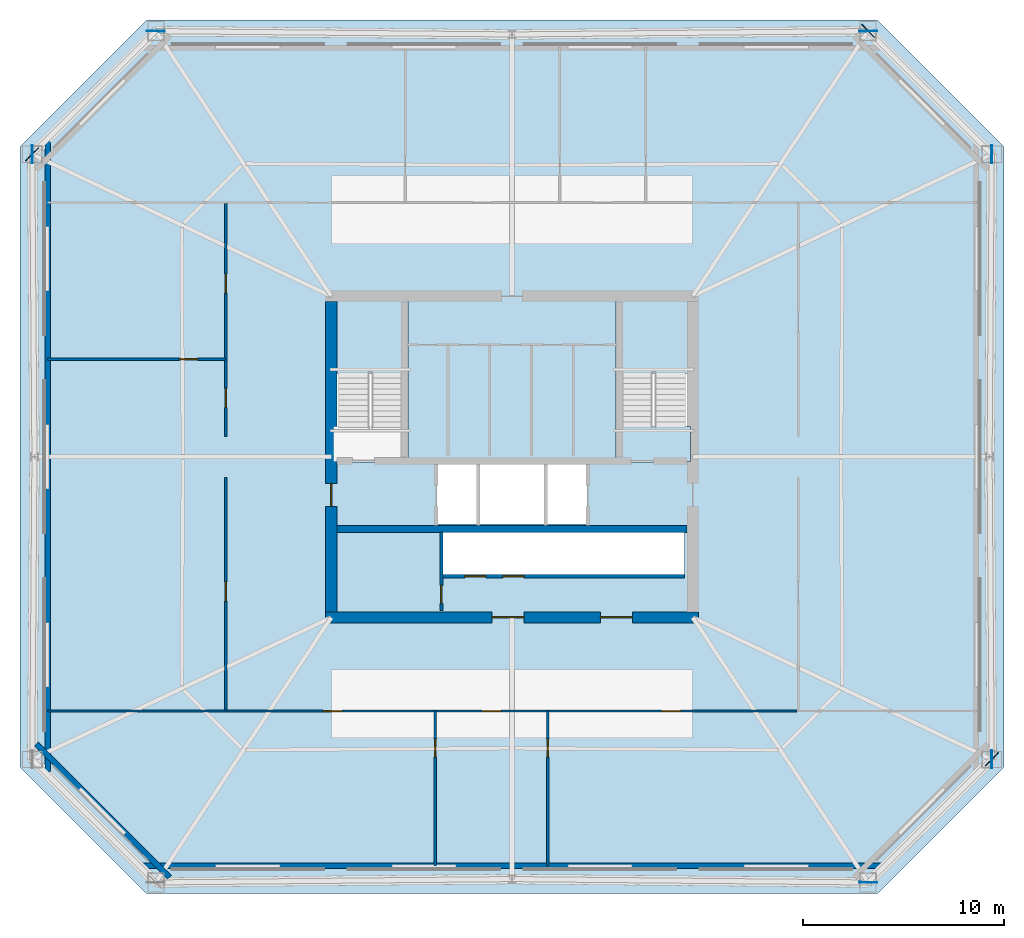
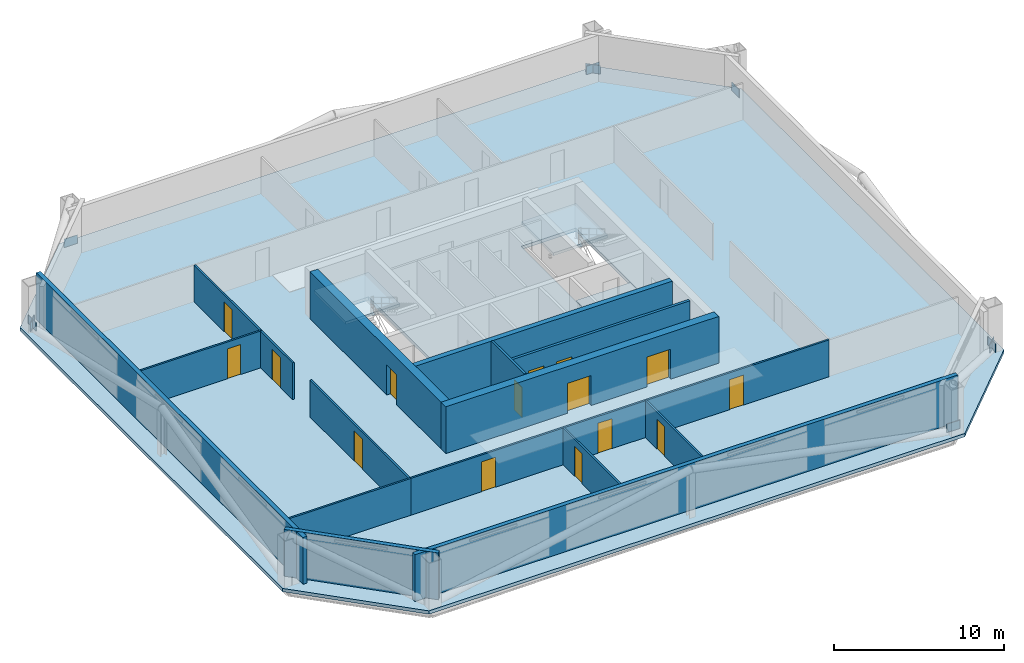
# One storey, part 2 of 6: 15 doors, 15 walls, 9 plates, 4 slabs, 15 openings, 2 elements without a shape of their own.
"""IFC4 building model written with IfcOpenShell, lengths in metres."""

from ifc_helpers import new_model, si_unit, direction, frame, frame_2d, origin, origin_2d, place, context, subcontext, project, spatial, polyline, rectangle, outline, extrude, material, layer, layer_set, type_object, element, fill, aggregate, save


model = new_model("IFC4")

# Units and contexts
model_context = context("Model", 3, precision=1e-05, world=origin(), true_north=direction((0.0, 1.0)))
body_context = subcontext(model_context, "Body", "Model", "MODEL_VIEW")
ifc_project = project(units=[si_unit("LENGTHUNIT", "METRE"), si_unit("AREAUNIT", "SQUARE_METRE"), si_unit("VOLUMEUNIT", "CUBIC_METRE"), si_unit("PLANEANGLEUNIT", "RADIAN"), si_unit("MASSUNIT", "GRAM", prefix="KILO")], contexts=[model_context])

# Site, building, storey
site_placement = place(None, origin())
site = spatial("IfcSite", under=ifc_project, at=site_placement, CompositionType="ELEMENT")
building_placement = place(site_placement, origin())
building = spatial("IfcBuilding", under=site, at=building_placement, Name="Caelvoria Tower", CompositionType="ELEMENT")
storey_placement = place(building_placement, frame((0.0, 0.0, 149.199951171875)))
storey = spatial("IfcBuildingStorey", under=building, at=storey_placement, Name="L39", CompositionType="ELEMENT", Elevation=149.199951171875)

# Plates
ifc_material_1 = material(Name="Structural Steel ASTM A572 Gr.50", Category="steel")
ifc_layer_1 = layer(ifc_material_1, 0.0400390625, Name="Structural Steel ASTM A572 Gr.50")
ifc_layer_set_1 = layer_set([ifc_layer_1], Name="Megaframe Node Gusset Plate 900x600x40 - Structural Steel ASTM A572 Gr.50")
plate_type = type_object("IfcPlateType", Name="Megaframe Node Gusset Plate 900x600x40", PredefinedType="USERDEFINED", material=ifc_layer_set_1)
for number, where, z_axis, x_axis, name in (
    (1, (69.89111328125, 16.93408203125, 0.02001953125), (0.0, 0.0, 1.0), (-0.708326285833, -0.705885169697, 0.0), "Chamfer Mega Brace Gusset L39 SE"),
    (2, (63.73779296875, 53.19775390625, 0.02001953125), (0.0, 0.0, 1.0), (0.708326285833, -0.705885169697, 0.0), "Chamfer Mega Brace Gusset L39 NE"),
    (3, (22.10888671875, 47.06591796875, 0.02001953125), (0.0, 0.0, 1.0), (0.708326285833, 0.705885169697, 0.0), "Chamfer Mega Brace Gusset L39 NW"),
    (4, (63.73779296875, 10.80224609375, 0.050048828125), (0.0, 0.0, 1.0), (-0.999955257518, 0.009459543462, 0.0), "Megaframe Node Gusset Plate ND-04"),
    (5, (69.89111328125, 16.93408203125, 0.050048828125), (0.0, 0.0, 1.0), (-0.007366968134, 0.999972863522, 0.0), "Megaframe Node Gusset Plate ND-04"),
    (6, (69.89111328125, 47.06591796875, 0.050048828125), (0.0, 0.0, 1.0), (-0.007366968134, -0.999972863522, 0.0), "Megaframe Node Gusset Plate ND-04"),
    (7, (63.73779296875, 53.19775390625, 0.050048828125), (0.0, 0.0, 1.0), (-0.999955257518, -0.009459543462, 0.0), "Megaframe Node Gusset Plate ND-04"),
    (8, (28.26220703125, 53.19775390625, 0.050048828125), (0.0, 0.0, 1.0), (0.999955257518, -0.009459543462, 0.0), "Megaframe Node Gusset Plate ND-04"),
    (9, (22.10888671875, 47.06591796875, 0.050048828125), (0.0, 0.0, 1.0), (0.007366968134, -0.999972863522, 0.0), "Megaframe Node Gusset Plate ND-04"),
):
    element("IfcPlate", number, at=place(storey_placement, frame(where, z_axis=z_axis, x_axis=x_axis)), inside=storey, type_object=plate_type, Name=name, ObjectType="GUSSET_PLATE", PredefinedType="USERDEFINED", context=body_context, shape_type="SweptSolid", body=[
        extrude(rectangle(XDim=0.89990234375, YDim=0.0400390625, at=origin_2d()), origin(), (0.0, 0.0, 1.0), 0.60009765625),
    ])

# Stair, slab
ifc_material_2 = material(Name="Concrete C40/50", Category="concrete")
stair_type = type_object("IfcStairType", Name="Core Smokeproof Dogleg Stair Concrete C40/50", PredefinedType="HALF_TURN_STAIR", material=ifc_material_2)
stair_1_placement = place(storey_placement, origin())
stair_1 = element("IfcStair", 10, at=stair_1_placement, inside=storey, type_object=stair_type, Name="ST-01 Smokeproof Exit Stair L39", PredefinedType="HALF_TURN_STAIR")
ifc_layer_2 = layer(ifc_material_2, 0.199951171875, Name="Concrete C40/50")
ifc_layer_set_2 = layer_set([ifc_layer_2], Name="Stair Half and Floor Landing Slab 200 Concrete C40/50 - Concrete C40/50")
slab_type_1 = type_object("IfcSlabType", Name="Stair Half and Floor Landing Slab 200 Concrete C40/50", PredefinedType="LANDING", material=ifc_layer_set_2)
slab_1_placement = place(storey_placement, frame((0.0, 0.0, 1.60009765625)))
slab_1 = element("IfcSlab", 11, at=slab_1_placement, type_object=slab_type_1, Name="ST-01 landing 2", PredefinedType="LANDING", context=body_context, shape_type="SweptSolid", body=[
    extrude(outline(polyline([(37.10009765625, 36.14990234375), (40.800048828125, 36.14990234375), (40.800048828125, 39.89990234375), (37.10009765625, 39.89990234375), (37.10009765625, 36.14990234375)])), origin(), (0.0, 0.0, 1.0), 0.199951171875),
])
aggregate(stair_1, [slab_1])

# Stair, slabs
stair_2_placement = place(storey_placement, origin())
stair_2 = element("IfcStair", 12, at=stair_2_placement, inside=storey, type_object=stair_type, Name="ST-02 Smokeproof Exit Stair L39", PredefinedType="HALF_TURN_STAIR")
slab_2_placement = place(storey_placement, frame((0.0, 0.0, -0.199951171875)))
slab_2 = element("IfcSlab", 13, at=slab_2_placement, type_object=slab_type_1, Name="ST-02 landing 1", PredefinedType="LANDING", context=body_context, shape_type="SweptSolid", body=[
    extrude(outline(polyline([(51.199951171875, 31.77001953125), (54.89990234375, 31.77001953125), (54.89990234375, 33.5), (51.199951171875, 33.5), (51.199951171875, 31.77001953125)])), origin(), (0.0, 0.0, 1.0), 0.199951171875),
])
slab_3_placement = place(storey_placement, frame((0.0, 0.0, 1.60009765625)))
slab_3 = element("IfcSlab", 14, at=slab_3_placement, type_object=slab_type_1, Name="ST-02 landing 2", PredefinedType="LANDING", context=body_context, shape_type="SweptSolid", body=[
    extrude(outline(polyline([(51.199951171875, 36.14990234375), (54.89990234375, 36.14990234375), (54.89990234375, 39.89990234375), (51.199951171875, 39.89990234375), (51.199951171875, 36.14990234375)])), origin(), (0.0, 0.0, 1.0), 0.199951171875),
])
aggregate(stair_2, [slab_2, slab_3])

# Slab
ifc_layer_3 = layer(ifc_material_2, 0.239990234375, Name="Concrete C40/50")
ifc_layer_set_3 = layer_set([ifc_layer_3], Name="Tower Composite Office Slab 240 - Concrete C40/50")
slab_type_2 = type_object("IfcSlabType", Name="Tower Composite Office Slab 240", PredefinedType="FLOOR", material=ifc_layer_set_3)
slab_4_placement = place(storey_placement, frame((0.0, 0.0, -0.239990234375)))
element("IfcSlab", 15, at=slab_4_placement, inside=storey, type_object=slab_type_2, Name="Level L39 Structural Floor Slab", PredefinedType="FLOOR", context=body_context, shape_type="SweptSolid", body=[
    extrude(outline(polyline([(27.800048828125, 10.25), (64.199951171875, 10.25), (70.5, 16.550048828125), (70.5, 47.449951171875), (64.199951171875, 53.75), (27.800048828125, 53.75), (21.5, 47.449951171875), (21.5, 16.550048828125), (27.800048828125, 10.25)]), holes=[polyline([(37.080078125, 31.75), (40.820068359375, 31.75), (40.820068359375, 39.919921875), (37.080078125, 39.919921875), (37.080078125, 31.75)]), polyline([(51.179931640625, 31.75), (54.919921875, 31.75), (54.919921875, 39.919921875), (51.179931640625, 39.919921875), (51.179931640625, 31.75)]), polyline([(42.25, 28.64990234375), (49.75, 28.64990234375), (49.75, 31.800048828125), (42.25, 31.800048828125), (42.25, 28.64990234375)]), polyline([(42.550048828125, 26.14990234375), (54.60009765625, 26.14990234375), (54.60009765625, 28.25), (42.550048828125, 28.25), (42.550048828125, 26.14990234375)])]), origin(), (0.0, 0.0, 1.0), 0.239990234375),
])

# Wall
ifc_material_3 = material(Name="Concrete C50/60", Category="concrete")
ifc_layer_4 = layer(ifc_material_3, 0.35009765625, Name="Concrete C50/60")
ifc_layer_set_4 = layer_set([ifc_layer_4], Name="Core Internal Shear Wall 350 - Concrete C50/60")
wall_type_1 = type_object("IfcWallType", Name="Core Internal Shear Wall 350", PredefinedType="SHEAR", material=ifc_layer_set_4)
wall_1_placement = place(storey_placement, frame((37.27490234375, 28.39990234375, 0.0), z_axis=(0.0, 0.0, 1.0), x_axis=(1.0, 0.0, 0.0)))
element("IfcWall", 16, at=wall_1_placement, inside=storey, type_object=wall_type_1, Name="Core Shear Wall L39 M2", PredefinedType="SHEAR", context=body_context, shape_type="SweptSolid", body=[
    extrude(rectangle(XDim=17.4501953125, YDim=0.35009765625, at=frame_2d((8.72509765625, 0.0))), origin(), (0.0, 0.0, 1.0), 3.360107421875),
])

# Wall, opening, door
ifc_material_4 = material(Name="Double Gypsum Board on Steel Stud", Category="steel")
ifc_layer_5 = layer(ifc_material_4, 0.14990234375, Name="Double Gypsum Board on Steel Stud")
ifc_layer_set_5 = layer_set([ifc_layer_5], Name="Core Service Acoustic Partition Wall 150 - Double Gypsum Board on Steel Stud")
wall_type_2 = type_object("IfcWallType", Name="Core Service Acoustic Partition Wall 150", PredefinedType="PARTITIONING", material=ifc_layer_set_5)
wall_2_placement = place(storey_placement, frame((42.47998046875, 24.35009765625, 0.0), z_axis=(0.0, 0.0, 1.0), x_axis=(0.0, 1.0, 0.0)))
wall_2 = element("IfcWall", 17, at=wall_2_placement, inside=storey, type_object=wall_type_2, Name="Interior Partition IW-L39-RECL1E", PredefinedType="PARTITIONING", context=body_context, shape_type="SweptSolid", body=[
    extrude(rectangle(XDim=3.89990234375, YDim=0.14990234375, at=frame_2d((1.949951171875, 0.0))), origin(), (0.0, 0.0, 1.0), 3.360107421875),
])
opening_1_placement = place(wall_2_placement, frame((0.35009765625, 0.0, 0.0)))
opening_1 = element("IfcOpeningElement", 18, at=opening_1_placement, cuts=wall_2, Name="Opening ID-04", PredefinedType="OPENING", context=body_context, shape_type="SweptSolid", body=[
    extrude(rectangle(XDim=0.89990234375, YDim=2.14990234375, at=frame_2d((0.449951171875, 1.074951171875))), frame((0.0, 0.0849609375, 0.0), z_axis=(0.0, -1.0, 0.0), x_axis=(1.0, 0.0, 0.0)), (0.0, 0.0, 1.0), 0.169921875),
])
ifc_material_5 = material(Name="Acoustic Timber Fire Door", Category="wood")
door_type_1 = type_object("IfcDoorType", Name="Fire Door FD30S 900x2150", OperationType="NOTDEFINED", PredefinedType="DOOR", material=ifc_material_5)
door_1_placement = place(opening_1_placement, origin())
door_1 = element("IfcDoor", 19, at=door_1_placement, inside=storey, type_object=door_type_1, Name="Interior Door DR-L39-RECL1", OperationType="SINGLE_SWING_LEFT", OverallHeight=2.14990234375, OverallWidth=0.89990234375, PredefinedType="DOOR", context=body_context, shape_type="SweptSolid", body=[
    extrude(rectangle(XDim=0.89990234375, YDim=2.14990234375, at=frame_2d((0.449951171875, 1.074951171875))), frame((0.0, 0.02490234375, 0.0), z_axis=(0.0, -1.0, 0.0), x_axis=(1.0, 0.0, 0.0)), (0.0, 0.0, 1.0), 0.050048828125),
])
fill(opening_1, door_1)

# Walls
ifc_material_6 = material(Name="Precast Concrete C40/50 with Bronze Cladding", Category="concrete")
ifc_layer_6 = layer(ifc_material_6, 0.280029296875, Name="Precast Concrete C40/50 with Bronze Cladding")
ifc_layer_set_6 = layer_set([ifc_layer_6], Name="Exterior Precast Concrete C40/50 Bronze-Clad Facade Wall 280 - Precast Concrete C40/50 with Bronze Cladding")
wall_type_3 = type_object("IfcWallType", Name="Exterior Precast Concrete C40/50 Bronze-Clad Facade Wall 280", PredefinedType="STANDARD", material=ifc_layer_set_6)
wall_3_placement = place(storey_placement, frame((27.56005859375, 11.6298828125, 0.0), z_axis=(0.0, 0.0, 1.0), x_axis=(1.0, 0.0, 0.0)))
element("IfcWall", 20, at=wall_3_placement, inside=storey, type_object=wall_type_3, Name="Exterior Facade Wall L39-E0", PredefinedType="STANDARD", context=body_context, shape_type="SweptSolid", body=[
    extrude(rectangle(XDim=36.8798828125, YDim=0.280029296875, at=frame_2d((18.43994140625, 0.0))), origin(), (0.0, 0.0, 1.0), 3.360107421875),
])
wall_4_placement = place(storey_placement, frame((22.8798828125, 47.68994140625, 0.0), z_axis=(0.0, 0.0, 1.0), x_axis=(0.0, -1.0, 0.0)))
element("IfcWall", 21, at=wall_4_placement, inside=storey, type_object=wall_type_3, Name="Exterior Facade Wall L39-E6", PredefinedType="STANDARD", context=body_context, shape_type="SweptSolid", body=[
    extrude(rectangle(XDim=31.3798828125, YDim=0.280029296875, at=frame_2d((15.68994140625, 0.0))), origin(), (0.0, 0.0, 1.0), 3.360107421875),
])
wall_5_placement = place(storey_placement, frame((22.30615234375, 17.695556640625, 0.0), z_axis=(0.0, 0.0, 1.0), x_axis=(0.707106781187, -0.707106781187, 0.0)))
element("IfcWall", 22, at=wall_5_placement, inside=storey, type_object=wall_type_3, Name="Exterior Facade Wall L39-E7", PredefinedType="STANDARD", context=body_context, shape_type="SweptSolid", body=[
    extrude(rectangle(XDim=9.3896484375, YDim=0.280029296875, at=frame_2d((4.69482421875, 0.0))), origin(), (0.0, 0.0, 1.0), 3.360107421875),
])

# Wall, openings, doors
ifc_material_7 = material(Name="Concrete Block and Fireboard Assembly", Category="concrete")
ifc_layer_7 = layer(ifc_material_7, 0.179931640625, Name="Concrete Block and Fireboard Assembly")
ifc_layer_set_7 = layer_set([ifc_layer_7], Name="Fire-Rated Hoistway Partition Wall 180 - Concrete Block and Fireboard Assembly")
wall_type_4 = type_object("IfcWallType", Name="Fire-Rated Hoistway Partition Wall 180", PredefinedType="PARTITIONING", material=ifc_layer_set_7)
wall_6_placement = place(storey_placement, frame((42.550048828125, 26.050048828125, 0.0), z_axis=(0.0, 0.0, 1.0), x_axis=(1.0, 0.0, 0.0)))
wall_6 = element("IfcWall", 23, at=wall_6_placement, inside=storey, type_object=wall_type_4, Name="Interior Partition IW-L39-LFRONT", PredefinedType="PARTITIONING", context=body_context, shape_type="SweptSolid", body=[
    extrude(rectangle(XDim=12.050048828125, YDim=0.179931640625, at=frame_2d((6.02490234375, 0.0))), origin(), (0.0, 0.0, 1.0), 3.360107421875),
])
opening_2_placement = place(wall_6_placement, frame((1.10009765625, 0.0, 0.0)))
opening_2 = element("IfcOpeningElement", 24, at=opening_2_placement, cuts=wall_6, Name="Opening LD-01", PredefinedType="OPENING", context=body_context, shape_type="SweptSolid", body=[
    extrude(rectangle(XDim=1.050048828125, YDim=2.14990234375, at=frame_2d((0.52490234375, 1.074951171875))), frame((0.0, 0.099853515625, 0.0), z_axis=(0.0, -1.0, 0.0), x_axis=(1.0, 0.0, 0.0)), (0.0, 0.0, 1.0), 0.199951171875),
])
opening_3_placement = place(wall_6_placement, frame((3.0, 0.0, 0.0)))
opening_3 = element("IfcOpeningElement", 25, at=opening_3_placement, cuts=wall_6, Name="Opening LD-01", PredefinedType="OPENING", context=body_context, shape_type="SweptSolid", body=[
    extrude(rectangle(XDim=1.050048828125, YDim=2.14990234375, at=frame_2d((0.52490234375, 1.074951171875))), frame((0.0, 0.099853515625, 0.0), z_axis=(0.0, -1.0, 0.0), x_axis=(1.0, 0.0, 0.0)), (0.0, 0.0, 1.0), 0.199951171875),
])
ifc_material_8 = material(Name="Brushed Bronze Stainless Sliding Landing Door", Category="aluminium")
door_type_2 = type_object("IfcDoorType", Name="Lift Landing Sliding Door 1100x2150", OperationType="NOTDEFINED", PredefinedType="DOOR", material=ifc_material_8)
door_2_placement = place(opening_2_placement, origin())
door_2 = element("IfcDoor", 26, at=door_2_placement, inside=storey, type_object=door_type_2, Name="Interior Door LD-L39-PM1", OperationType="SLIDING_TO_LEFT", OverallHeight=2.14990234375, OverallWidth=1.050048828125, PredefinedType="DOOR", context=body_context, shape_type="SweptSolid", body=[
    extrude(rectangle(XDim=1.050048828125, YDim=2.14990234375, at=frame_2d((0.52490234375, 1.074951171875))), frame((0.0, 0.02490234375, 0.0), z_axis=(0.0, -1.0, 0.0), x_axis=(1.0, 0.0, 0.0)), (0.0, 0.0, 1.0), 0.050048828125),
])
fill(opening_2, door_2)
door_3_placement = place(opening_3_placement, origin())
door_3 = element("IfcDoor", 27, at=door_3_placement, inside=storey, type_object=door_type_2, Name="Interior Door LD-L39-PM2", OperationType="SLIDING_TO_RIGHT", OverallHeight=2.14990234375, OverallWidth=1.050048828125, PredefinedType="DOOR", context=body_context, shape_type="SweptSolid", body=[
    extrude(rectangle(XDim=1.050048828125, YDim=2.14990234375, at=frame_2d((0.52490234375, 1.074951171875))), frame((0.0, 0.02490234375, 0.0), z_axis=(0.0, -1.0, 0.0), x_axis=(1.0, 0.0, 0.0)), (0.0, 0.0, 1.0), 0.050048828125),
])
fill(opening_3, door_3)

ifc_material_9 = material(Name="Concrete C55/67", Category="concrete")
ifc_layer_8 = layer(ifc_material_9, 0.550048828125, Name="Concrete C55/67")
ifc_layer_set_8 = layer_set([ifc_layer_8], Name="Mid Core Shear Wall 550 - Concrete C55/67")
wall_type_5 = type_object("IfcWallType", Name="Mid Core Shear Wall 550", PredefinedType="SHEAR", material=ifc_layer_set_8)
wall_7_placement = place(storey_placement, frame((36.72509765625, 24.0, 0.0), z_axis=(0.0, 0.0, 1.0), x_axis=(1.0, 0.0, 0.0)))
wall_7 = element("IfcWall", 28, at=wall_7_placement, inside=storey, type_object=wall_type_5, Name="Core Shear Wall L39 S", PredefinedType="SHEAR", context=body_context, shape_type="SweptSolid", body=[
    extrude(rectangle(XDim=18.5498046875, YDim=0.550048828125, at=frame_2d((9.27490234375, 0.0))), origin(), (0.0, 0.0, 1.0), 3.360107421875),
])
opening_4_placement = place(wall_7_placement, frame((8.27490234375, 0.0, 0.0)))
opening_4 = element("IfcOpeningElement", 29, at=opening_4_placement, cuts=wall_7, Name="Opening ID-08", PredefinedType="OPENING", context=body_context, shape_type="SweptSolid", body=[
    extrude(rectangle(XDim=1.60009765625, YDim=2.14990234375, at=frame_2d((0.800048828125, 1.074951171875))), frame((0.0, 0.284912109375, 0.0), z_axis=(0.0, -1.0, 0.0), x_axis=(1.0, 0.0, 0.0)), (0.0, 0.0, 1.0), 0.570068359375),
])
opening_5_placement = place(wall_7_placement, frame((13.675048828125, 0.0, 0.0)))
opening_5 = element("IfcOpeningElement", 30, at=opening_5_placement, cuts=wall_7, Name="Opening ID-08", PredefinedType="OPENING", context=body_context, shape_type="SweptSolid", body=[
    extrude(rectangle(XDim=1.60009765625, YDim=2.14990234375, at=frame_2d((0.800048828125, 1.074951171875))), frame((0.0, 0.284912109375, 0.0), z_axis=(0.0, -1.0, 0.0), x_axis=(1.0, 0.0, 0.0)), (0.0, 0.0, 1.0), 0.570068359375),
])
ifc_material_10 = material(Name="Bronze-Framed Fire-Rated Glazed Double Door", Category="aluminium")
door_type_3 = type_object("IfcDoorType", Name="Double Lobby Glazed Door 1600x2200", OperationType="NOTDEFINED", PredefinedType="DOOR", material=ifc_material_10)
door_4_placement = place(opening_4_placement, origin())
door_4 = element("IfcDoor", 31, at=door_4_placement, inside=storey, type_object=door_type_3, Name="Core Door DR-L39-LLOB-S1", OperationType="DOUBLE_DOOR_SINGLE_SWING", OverallHeight=2.14990234375, OverallWidth=1.60009765625, PredefinedType="DOOR", context=body_context, shape_type="SweptSolid", body=[
    extrude(rectangle(XDim=1.60009765625, YDim=2.14990234375, at=frame_2d((0.800048828125, 1.074951171875))), frame((0.0, 0.02490234375, 0.0), z_axis=(0.0, -1.0, 0.0), x_axis=(1.0, 0.0, 0.0)), (0.0, 0.0, 1.0), 0.050048828125),
])
fill(opening_4, door_4)
door_5_placement = place(opening_5_placement, origin())
door_5 = element("IfcDoor", 32, at=door_5_placement, inside=storey, type_object=door_type_3, Name="Core Door DR-L39-LLOB-S2", OperationType="DOUBLE_DOOR_SINGLE_SWING", OverallHeight=2.14990234375, OverallWidth=1.60009765625, PredefinedType="DOOR", context=body_context, shape_type="SweptSolid", body=[
    extrude(rectangle(XDim=1.60009765625, YDim=2.14990234375, at=frame_2d((0.800048828125, 1.074951171875))), frame((0.0, 0.02490234375, 0.0), z_axis=(0.0, -1.0, 0.0), x_axis=(1.0, 0.0, 0.0)), (0.0, 0.0, 1.0), 0.050048828125),
])
fill(opening_5, door_5)

# Wall, opening, door
wall_8_placement = place(storey_placement, frame((37.0, 24.27490234375, 0.0), z_axis=(0.0, 0.0, 1.0), x_axis=(0.0, 1.0, 0.0)))
wall_8 = element("IfcWall", 33, at=wall_8_placement, inside=storey, type_object=wall_type_5, Name="Core Shear Wall L39 W", PredefinedType="SHEAR", context=body_context, shape_type="SweptSolid", body=[
    extrude(rectangle(XDim=15.4501953125, YDim=0.550048828125, at=frame_2d((7.72509765625, 0.0))), origin(), (0.0, 0.0, 1.0), 3.360107421875),
])
opening_6_placement = place(wall_8_placement, frame((5.25, 0.0, 0.0)))
opening_6 = element("IfcOpeningElement", 34, at=opening_6_placement, cuts=wall_8, Name="Opening ID-02", PredefinedType="OPENING", context=body_context, shape_type="SweptSolid", body=[
    extrude(rectangle(XDim=1.14990234375, YDim=2.14990234375, at=frame_2d((0.574951171875, 1.074951171875))), frame((0.0, 0.284912109375, 0.0), z_axis=(0.0, -1.0, 0.0), x_axis=(1.0, 0.0, 0.0)), (0.0, 0.0, 1.0), 0.570068359375),
])
ifc_material_11 = material(Name="Painted Hollow Steel Fire Door", Category="steel")
door_type_4 = type_object("IfcDoorType", Name="Fire Door FD60S 1150x2150", OperationType="NOTDEFINED", PredefinedType="DOOR", material=ifc_material_11)
door_6_placement = place(opening_6_placement, origin())
door_6 = element("IfcDoor", 35, at=door_6_placement, inside=storey, type_object=door_type_4, Name="Core Door DR-L39-FFLW-OUT", OperationType="SINGLE_SWING_LEFT", OverallHeight=2.14990234375, OverallWidth=1.14990234375, PredefinedType="DOOR", context=body_context, shape_type="SweptSolid", body=[
    extrude(rectangle(XDim=1.14990234375, YDim=2.14990234375, at=frame_2d((0.574951171875, 1.074951171875))), frame((0.0, 0.02490234375, 0.0), z_axis=(0.0, -1.0, 0.0), x_axis=(1.0, 0.0, 0.0)), (0.0, 0.0, 1.0), 0.050048828125),
])
fill(opening_6, door_6)

ifc_material_12 = material(Name="Acoustic Gypsum Board on Light-Gauge Stud", Category="gypsum")
ifc_layer_9 = layer(ifc_material_12, 0.1201171875, Name="Acoustic Gypsum Board on Light-Gauge Stud")
ifc_layer_set_9 = layer_set([ifc_layer_9], Name="Tenant Suite Acoustic Partition Wall 120 - Acoustic Gypsum Board on Light-Gauge Stud")
wall_type_6 = type_object("IfcWallType", Name="Tenant Suite Acoustic Partition Wall 120", PredefinedType="PARTITIONING", material=ifc_layer_set_9)
wall_9_placement = place(storey_placement, frame((42.1875, 19.340087890625, 0.0), z_axis=(0.0, 0.0, 1.0), x_axis=(0.0, -1.0, 0.0)))
wall_9 = element("IfcWall", 36, at=wall_9_placement, inside=storey, type_object=wall_type_6, Name="Interior Partition IW-L39-SD-00-0", PredefinedType="PARTITIONING", context=body_context, shape_type="SweptSolid", body=[
    extrude(rectangle(XDim=7.710205078125, YDim=0.1201171875, at=frame_2d((3.85498046875, 0.0))), origin(), (0.0, 0.0, 1.0), 2.64013671875),
])
opening_7_placement = place(wall_9_placement, frame((1.39990234375, 0.0, 0.0)))
opening_7 = element("IfcOpeningElement", 37, at=opening_7_placement, cuts=wall_9, Name="Opening ID-06", PredefinedType="OPENING", context=body_context, shape_type="SweptSolid", body=[
    extrude(rectangle(XDim=0.89990234375, YDim=2.14990234375, at=frame_2d((0.449951171875, 1.074951171875))), frame((0.0, 0.070068359375, 0.0), z_axis=(0.0, -1.0, 0.0), x_axis=(1.0, 0.0, 0.0)), (0.0, 0.0, 1.0), 0.14013671875),
])
ifc_material_13 = material(Name="Engineered Andean Oak Veneer Door", Category="wood")
door_type_5 = type_object("IfcDoorType", Name="Interior Timber Door 900x2150", OperationType="NOTDEFINED", PredefinedType="DOOR", material=ifc_material_13)
door_7_placement = place(opening_7_placement, origin())
door_7 = element("IfcDoor", 38, at=door_7_placement, inside=storey, type_object=door_type_5, Name="Interior Door DR-L39-SM-00-0", OperationType="SINGLE_SWING_RIGHT", OverallHeight=2.14990234375, OverallWidth=0.89990234375, PredefinedType="DOOR", context=body_context, shape_type="SweptSolid", body=[
    extrude(rectangle(XDim=0.89990234375, YDim=2.14990234375, at=frame_2d((0.449951171875, 1.074951171875))), frame((0.0, 0.02490234375, 0.0), z_axis=(0.0, -1.0, 0.0), x_axis=(1.0, 0.0, 0.0)), (0.0, 0.0, 1.0), 0.050048828125),
])
fill(opening_7, door_7)

wall_10_placement = place(storey_placement, frame((47.779541015625, 19.340087890625, 0.0), z_axis=(0.0, 0.0, 1.0), x_axis=(0.0, -1.0, 0.0)))
wall_10 = element("IfcWall", 39, at=wall_10_placement, inside=storey, type_object=wall_type_6, Name="Interior Partition IW-L39-SD-01-0", PredefinedType="PARTITIONING", context=body_context, shape_type="SweptSolid", body=[
    extrude(rectangle(XDim=7.710205078125, YDim=0.1201171875, at=frame_2d((3.85498046875, 0.0))), origin(), (0.0, 0.0, 1.0), 2.64013671875),
])
opening_8_placement = place(wall_10_placement, frame((1.39990234375, 0.0, 0.0)))
opening_8 = element("IfcOpeningElement", 40, at=opening_8_placement, cuts=wall_10, Name="Opening ID-06", PredefinedType="OPENING", context=body_context, shape_type="SweptSolid", body=[
    extrude(rectangle(XDim=0.89990234375, YDim=2.14990234375, at=frame_2d((0.449951171875, 1.074951171875))), frame((0.0, 0.070068359375, 0.0), z_axis=(0.0, -1.0, 0.0), x_axis=(1.0, 0.0, 0.0)), (0.0, 0.0, 1.0), 0.14013671875),
])
door_8_placement = place(opening_8_placement, origin())
door_8 = element("IfcDoor", 41, at=door_8_placement, inside=storey, type_object=door_type_5, Name="Interior Door DR-L39-SM-01-0", OperationType="SINGLE_SWING_LEFT", OverallHeight=2.14990234375, OverallWidth=0.89990234375, PredefinedType="DOOR", context=body_context, shape_type="SweptSolid", body=[
    extrude(rectangle(XDim=0.89990234375, YDim=2.14990234375, at=frame_2d((0.449951171875, 1.074951171875))), frame((0.0, 0.02490234375, 0.0), z_axis=(0.0, -1.0, 0.0), x_axis=(1.0, 0.0, 0.0)), (0.0, 0.0, 1.0), 0.050048828125),
])
fill(opening_8, door_8)

# Wall, openings, doors
wall_11_placement = place(storey_placement, frame((31.800048828125, 19.340087890625, 0.0), z_axis=(0.0, 0.0, 1.0), x_axis=(1.0, 0.0, 0.0)))
wall_11 = element("IfcWall", 42, at=wall_11_placement, inside=storey, type_object=wall_type_6, Name="Interior Partition IW-L39-SCW-0", PredefinedType="PARTITIONING", context=body_context, shape_type="SweptSolid", body=[
    extrude(rectangle(XDim=28.39990234375, YDim=0.1201171875, at=frame_2d((14.199951171875, 0.0))), origin(), (0.0, 0.0, 1.0), 2.64013671875),
])
opening_9_placement = place(wall_11_placement, frame((4.788818359375, 0.0, 0.0)))
opening_9 = element("IfcOpeningElement", 43, at=opening_9_placement, cuts=wall_11, Name="Opening ID-05", PredefinedType="OPENING", context=body_context, shape_type="SweptSolid", body=[
    extrude(rectangle(XDim=0.949951171875, YDim=2.14990234375, at=frame_2d((0.47509765625, 1.074951171875))), frame((0.0, 0.070068359375, 0.0), z_axis=(0.0, -1.0, 0.0), x_axis=(1.0, 0.0, 0.0)), (0.0, 0.0, 1.0), 0.14013671875),
])
opening_10_placement = place(wall_11_placement, frame((12.70849609375, 0.0, 0.0)))
opening_10 = element("IfcOpeningElement", 44, at=opening_10_placement, cuts=wall_11, Name="Opening ID-05", PredefinedType="OPENING", context=body_context, shape_type="SweptSolid", body=[
    extrude(rectangle(XDim=0.949951171875, YDim=2.14990234375, at=frame_2d((0.47509765625, 1.074951171875))), frame((0.0, 0.070068359375, 0.0), z_axis=(0.0, -1.0, 0.0), x_axis=(1.0, 0.0, 0.0)), (0.0, 0.0, 1.0), 0.14013671875),
])
opening_11_placement = place(wall_11_placement, frame((21.644775390625, 0.0, 0.0)))
opening_11 = element("IfcOpeningElement", 45, at=opening_11_placement, cuts=wall_11, Name="Opening ID-05", PredefinedType="OPENING", context=body_context, shape_type="SweptSolid", body=[
    extrude(rectangle(XDim=0.949951171875, YDim=2.14990234375, at=frame_2d((0.47509765625, 1.074951171875))), frame((0.0, 0.070068359375, 0.0), z_axis=(0.0, -1.0, 0.0), x_axis=(1.0, 0.0, 0.0)), (0.0, 0.0, 1.0), 0.14013671875),
])
door_type_6 = type_object("IfcDoorType", Name="Interior Timber Door 950x2150", OperationType="NOTDEFINED", PredefinedType="DOOR", material=ifc_material_13)
door_9_placement = place(opening_9_placement, origin())
door_9 = element("IfcDoor", 46, at=door_9_placement, inside=storey, type_object=door_type_6, Name="Interior Door DR-L39-SC-00-0", OperationType="SINGLE_SWING_RIGHT", OverallHeight=2.14990234375, OverallWidth=0.949951171875, PredefinedType="DOOR", context=body_context, shape_type="SweptSolid", body=[
    extrude(rectangle(XDim=0.949951171875, YDim=2.14990234375, at=frame_2d((0.47509765625, 1.074951171875))), frame((0.0, 0.02490234375, 0.0), z_axis=(0.0, -1.0, 0.0), x_axis=(1.0, 0.0, 0.0)), (0.0, 0.0, 1.0), 0.050048828125),
])
fill(opening_9, door_9)
door_10_placement = place(opening_10_placement, origin())
door_10 = element("IfcDoor", 47, at=door_10_placement, inside=storey, type_object=door_type_6, Name="Interior Door DR-L39-SC-01-0", OperationType="SINGLE_SWING_LEFT", OverallHeight=2.14990234375, OverallWidth=0.949951171875, PredefinedType="DOOR", context=body_context, shape_type="SweptSolid", body=[
    extrude(rectangle(XDim=0.949951171875, YDim=2.14990234375, at=frame_2d((0.47509765625, 1.074951171875))), frame((0.0, 0.02490234375, 0.0), z_axis=(0.0, -1.0, 0.0), x_axis=(1.0, 0.0, 0.0)), (0.0, 0.0, 1.0), 0.050048828125),
])
fill(opening_10, door_10)
door_11_placement = place(opening_11_placement, origin())
door_11 = element("IfcDoor", 48, at=door_11_placement, inside=storey, type_object=door_type_6, Name="Interior Door DR-L39-SC-02-0", OperationType="SINGLE_SWING_RIGHT", OverallHeight=2.14990234375, OverallWidth=0.949951171875, PredefinedType="DOOR", context=body_context, shape_type="SweptSolid", body=[
    extrude(rectangle(XDim=0.949951171875, YDim=2.14990234375, at=frame_2d((0.47509765625, 1.074951171875))), frame((0.0, 0.02490234375, 0.0), z_axis=(0.0, -1.0, 0.0), x_axis=(1.0, 0.0, 0.0)), (0.0, 0.0, 1.0), 0.050048828125),
])
fill(opening_11, door_11)

# Wall, opening, door
wall_12_placement = place(storey_placement, frame((31.739990234375, 36.85009765625, 0.0), z_axis=(0.0, 0.0, 1.0), x_axis=(-1.0, 0.0, 0.0)))
wall_12 = element("IfcWall", 49, at=wall_12_placement, inside=storey, type_object=wall_type_6, Name="Interior Partition IW-L39-WD-00-0", PredefinedType="PARTITIONING", context=body_context, shape_type="SweptSolid", body=[
    extrude(rectangle(XDim=8.860107421875, YDim=0.1201171875, at=frame_2d((4.43017578125, 0.0))), origin(), (0.0, 0.0, 1.0), 2.64013671875),
])
opening_12_placement = place(wall_12_placement, frame((1.39990234375, 0.0, 0.0)))
opening_12 = element("IfcOpeningElement", 50, at=opening_12_placement, cuts=wall_12, Name="Opening ID-06", PredefinedType="OPENING", context=body_context, shape_type="SweptSolid", body=[
    extrude(rectangle(XDim=0.89990234375, YDim=2.14990234375, at=frame_2d((0.449951171875, 1.074951171875))), frame((0.0, 0.070068359375, 0.0), z_axis=(0.0, -1.0, 0.0), x_axis=(1.0, 0.0, 0.0)), (0.0, 0.0, 1.0), 0.14013671875),
])
door_12_placement = place(opening_12_placement, origin())
door_12 = element("IfcDoor", 51, at=door_12_placement, inside=storey, type_object=door_type_5, Name="Interior Door DR-L39-WM-00-0", OperationType="SINGLE_SWING_RIGHT", OverallHeight=2.14990234375, OverallWidth=0.89990234375, PredefinedType="DOOR", context=body_context, shape_type="SweptSolid", body=[
    extrude(rectangle(XDim=0.89990234375, YDim=2.14990234375, at=frame_2d((0.449951171875, 1.074951171875))), frame((0.0, 0.02490234375, 0.0), z_axis=(0.0, -1.0, 0.0), x_axis=(1.0, 0.0, 0.0)), (0.0, 0.0, 1.0), 0.050048828125),
])
fill(opening_12, door_12)

wall_13_placement = place(storey_placement, frame((31.739990234375, 19.39990234375, 0.0), z_axis=(0.0, 0.0, 1.0), x_axis=(0.0, 1.0, 0.0)))
wall_13 = element("IfcWall", 52, at=wall_13_placement, inside=storey, type_object=wall_type_6, Name="Interior Partition IW-L39-WCW-0", PredefinedType="PARTITIONING", context=body_context, shape_type="SweptSolid", body=[
    extrude(rectangle(XDim=11.580078125, YDim=0.1201171875, at=frame_2d((5.7900390625, 0.0))), origin(), (0.0, 0.0, 1.0), 2.64013671875),
])
opening_13_placement = place(wall_13_placement, frame((5.4150390625, 0.0, 0.0)))
opening_13 = element("IfcOpeningElement", 53, at=opening_13_placement, cuts=wall_13, Name="Opening ID-05", PredefinedType="OPENING", context=body_context, shape_type="SweptSolid", body=[
    extrude(rectangle(XDim=0.949951171875, YDim=2.14990234375, at=frame_2d((0.47509765625, 1.074951171875))), frame((0.0, 0.070068359375, 0.0), z_axis=(0.0, -1.0, 0.0), x_axis=(1.0, 0.0, 0.0)), (0.0, 0.0, 1.0), 0.14013671875),
])
door_13_placement = place(opening_13_placement, origin())
door_13 = element("IfcDoor", 54, at=door_13_placement, inside=storey, type_object=door_type_6, Name="Interior Door DR-L39-WC-00-1", OperationType="SINGLE_SWING_LEFT", OverallHeight=2.14990234375, OverallWidth=0.949951171875, PredefinedType="DOOR", context=body_context, shape_type="SweptSolid", body=[
    extrude(rectangle(XDim=0.949951171875, YDim=2.14990234375, at=frame_2d((0.47509765625, 1.074951171875))), frame((0.0, 0.02490234375, 0.0), z_axis=(0.0, -1.0, 0.0), x_axis=(1.0, 0.0, 0.0)), (0.0, 0.0, 1.0), 0.050048828125),
])
fill(opening_13, door_13)

# Wall, openings, doors
wall_14_placement = place(storey_placement, frame((31.739990234375, 33.02001953125, 0.0), z_axis=(0.0, 0.0, 1.0), x_axis=(0.0, 1.0, 0.0)))
wall_14 = element("IfcWall", 55, at=wall_14_placement, inside=storey, type_object=wall_type_6, Name="Interior Partition IW-L39-WCW-1", PredefinedType="PARTITIONING", context=body_context, shape_type="SweptSolid", body=[
    extrude(rectangle(XDim=11.580078125, YDim=0.1201171875, at=frame_2d((5.7900390625, 0.0))), origin(), (0.0, 0.0, 1.0), 2.64013671875),
])
opening_14_placement = place(wall_14_placement, frame((1.43994140625, 0.0, 0.0)))
opening_14 = element("IfcOpeningElement", 56, at=opening_14_placement, cuts=wall_14, Name="Opening ID-05", PredefinedType="OPENING", context=body_context, shape_type="SweptSolid", body=[
    extrude(rectangle(XDim=0.949951171875, YDim=2.14990234375, at=frame_2d((0.47509765625, 1.074951171875))), frame((0.0, 0.070068359375, 0.0), z_axis=(0.0, -1.0, 0.0), x_axis=(1.0, 0.0, 0.0)), (0.0, 0.0, 1.0), 0.14013671875),
])
opening_15_placement = place(wall_14_placement, frame((7.130126953125, 0.0, 0.0)))
opening_15 = element("IfcOpeningElement", 57, at=opening_15_placement, cuts=wall_14, Name="Opening ID-05", PredefinedType="OPENING", context=body_context, shape_type="SweptSolid", body=[
    extrude(rectangle(XDim=0.949951171875, YDim=2.14990234375, at=frame_2d((0.47509765625, 1.074951171875))), frame((0.0, 0.070068359375, 0.0), z_axis=(0.0, -1.0, 0.0), x_axis=(1.0, 0.0, 0.0)), (0.0, 0.0, 1.0), 0.14013671875),
])
door_14_placement = place(opening_14_placement, origin())
door_14 = element("IfcDoor", 58, at=door_14_placement, inside=storey, type_object=door_type_6, Name="Interior Door DR-L39-WC-00-0", OperationType="SINGLE_SWING_RIGHT", OverallHeight=2.14990234375, OverallWidth=0.949951171875, PredefinedType="DOOR", context=body_context, shape_type="SweptSolid", body=[
    extrude(rectangle(XDim=0.949951171875, YDim=2.14990234375, at=frame_2d((0.47509765625, 1.074951171875))), frame((0.0, 0.02490234375, 0.0), z_axis=(0.0, -1.0, 0.0), x_axis=(1.0, 0.0, 0.0)), (0.0, 0.0, 1.0), 0.050048828125),
])
fill(opening_14, door_14)
door_15_placement = place(opening_15_placement, origin())
door_15 = element("IfcDoor", 59, at=door_15_placement, inside=storey, type_object=door_type_6, Name="Interior Door DR-L39-WC-01-0", OperationType="SINGLE_SWING_LEFT", OverallHeight=2.14990234375, OverallWidth=0.949951171875, PredefinedType="DOOR", context=body_context, shape_type="SweptSolid", body=[
    extrude(rectangle(XDim=0.949951171875, YDim=2.14990234375, at=frame_2d((0.47509765625, 1.074951171875))), frame((0.0, 0.02490234375, 0.0), z_axis=(0.0, -1.0, 0.0), x_axis=(1.0, 0.0, 0.0)), (0.0, 0.0, 1.0), 0.050048828125),
])
fill(opening_15, door_15)

# Wall
wall_15_placement = place(storey_placement, frame((31.800048828125, 19.340087890625, 0.0), z_axis=(0.0, 0.0, 1.0), x_axis=(-1.0, 0.0, 0.0)))
element("IfcWall", 60, at=wall_15_placement, inside=storey, type_object=wall_type_6, Name="Interior Partition IW-L39-BSW-0", PredefinedType="PARTITIONING", context=body_context, shape_type="SweptSolid", body=[
    extrude(rectangle(XDim=8.920166015625, YDim=0.1201171875, at=frame_2d((4.4599609375, 0.0))), origin(), (0.0, 0.0, 1.0), 2.64013671875),
])

save(model, "model.ifc")
